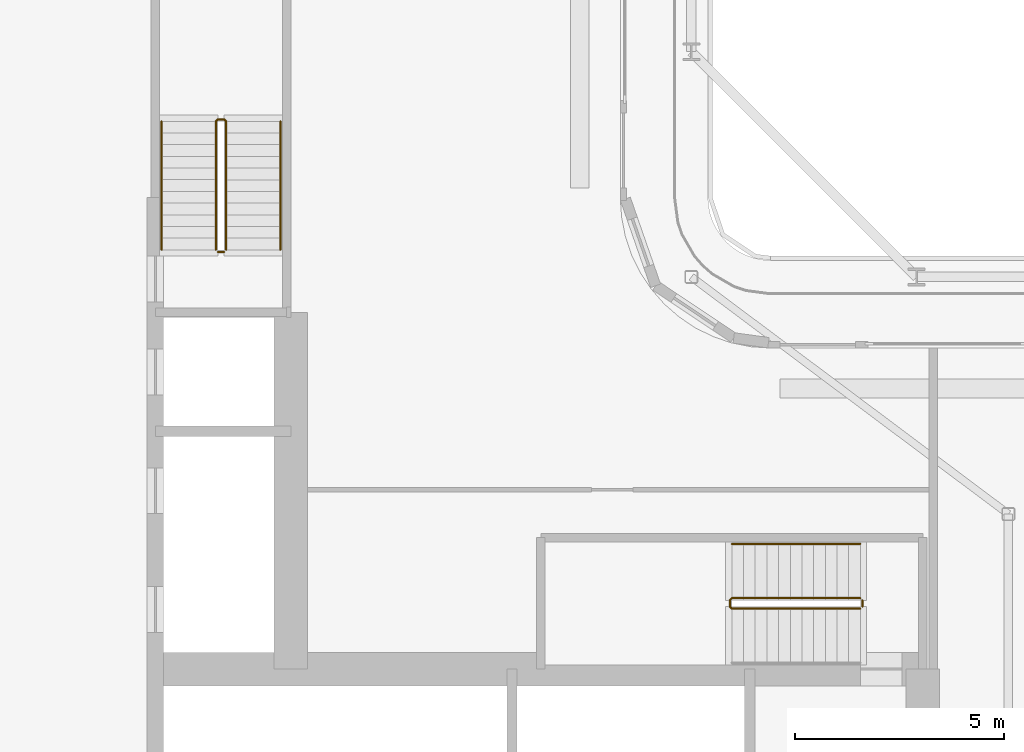
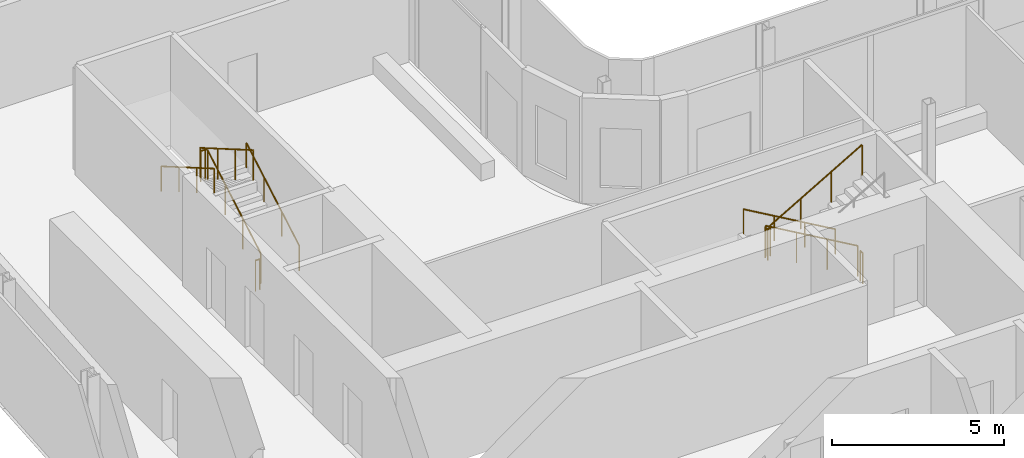
# One storey, part 21 of 27: 7 railings.
"""IFC4 building model written with IfcOpenShell, lengths in metres."""

from ifc_helpers import new_model, si_unit, direction, frame, origin, origin_2d, place, context, subcontext, project, spatial, circle, extrude, material, type_object, element, save


model = new_model("IFC4")

# Units and contexts
model_context = context("Model", 3, precision=1e-05, world=origin(), true_north=direction((0.0, 1.0)))
body_context = subcontext(model_context, "Body", "Model", "MODEL_VIEW")
ifc_project = project(units=[si_unit("LENGTHUNIT", "METRE"), si_unit("AREAUNIT", "SQUARE_METRE"), si_unit("VOLUMEUNIT", "CUBIC_METRE"), si_unit("PLANEANGLEUNIT", "RADIAN"), si_unit("MASSUNIT", "GRAM", prefix="KILO")], contexts=[model_context])

# Site, building, storey
site_placement = place(None, origin())
site = spatial("IfcSite", under=ifc_project, at=site_placement, CompositionType="ELEMENT")
building_placement = place(site_placement, origin())
building = spatial("IfcBuilding", under=site, at=building_placement, Name="Kheshtan School and Residences Tower", CompositionType="ELEMENT")
storey_placement = place(building_placement, frame((0.0, 0.0, 152.60009765625)))
storey = spatial("IfcBuildingStorey", under=building, at=storey_placement, Name="L35", CompositionType="ELEMENT", Elevation=152.60009765625)

# Railings
ifc_material_1 = material(Name="Stainless steel balustrade", Category="steel")
railing_type_1 = type_object("IfcRailingType", Name="Stair guard 1100", PredefinedType="GUARDRAIL", material=ifc_material_1)
railing_1_placement = place(storey_placement, frame((51.64990234375, 37.89990234375, 0.162353515625)))
element("IfcRailing", 1, at=railing_1_placement, inside=storey, type_object=railing_type_1, Name="L35 ST1 stair guard 1", PredefinedType="GUARDRAIL", context=body_context, shape_type="SweptSolid", body=[
    extrude(circle(Radius=0.02392578125, at=origin_2d()), frame((0.0, 0.0, 1.076171875), z_axis=(-0.864873446163, 0.0, 0.501989962173), x_axis=(0.0, -1.0, 0.0)), (0.0, 0.0, 1.0), 3.56103515625),
    extrude(circle(Radius=0.02392578125, at=origin_2d()), frame((-3.079833984375, 0.0, 2.86376953125), z_axis=(-0.708833529934, -0.705375805398, 0.0), x_axis=(0.705375805398, -0.708833529934, 0.0)), (0.0, 0.0, 1.0), 0.070556640625),
    extrude(circle(Radius=0.02392578125, at=origin_2d()), frame((-3.1298828125, -0.0498046875, 2.86376953125), z_axis=(0.0, -1.0, 0.0), x_axis=(1.0, 0.0, 0.0)), (0.0, 0.0, 1.0), 0.150146484375),
    extrude(circle(Radius=0.02392578125, at=origin_2d()), frame((-3.1298828125, -0.199951171875, 2.86376953125), z_axis=(0.282583949758, -0.282583949758, 0.916674763849), x_axis=(0.707106781187, 0.707106781187, 0.0)), (0.0, 0.0, 1.0), 0.177001953125),
    extrude(circle(Radius=0.02392578125, at=origin_2d()), frame((-3.079833984375, -0.25, 3.02587890625), z_axis=(0.864873446163, 0.0, 0.501989962173), x_axis=(0.0, 1.0, 0.0)), (0.0, 0.0, 1.0), 3.56103515625),
    extrude(circle(Radius=0.02099609375, at=origin_2d()), origin(), (0.0, 0.0, 1.0), 1.052001953125),
    extrude(circle(Radius=0.02099609375, at=origin_2d()), frame((-1.026611328125, 0.0, 0.595947265625)), (0.0, 0.0, 1.0), 1.052001953125),
    extrude(circle(Radius=0.02099609375, at=origin_2d()), frame((-2.05322265625, 0.0, 1.191650390625)), (0.0, 0.0, 1.0), 1.052001953125),
    extrude(circle(Radius=0.02099609375, at=origin_2d()), frame((-3.079833984375, 0.0, 1.78759765625)), (0.0, 0.0, 1.0), 1.052001953125),
    extrude(circle(Radius=0.02099609375, at=origin_2d()), frame((-3.1298828125, -0.0498046875, 1.78759765625)), (0.0, 0.0, 1.0), 1.052001953125),
    extrude(circle(Radius=0.02099609375, at=origin_2d()), frame((-3.1298828125, -0.199951171875, 1.78759765625)), (0.0, 0.0, 1.0), 1.052001953125),
    extrude(circle(Radius=0.02099609375, at=origin_2d()), frame((-3.079833984375, -0.25, 1.949951171875)), (0.0, 0.0, 1.0), 1.052001953125),
    extrude(circle(Radius=0.02099609375, at=origin_2d()), frame((-2.05322265625, -0.25, 2.5458984375)), (0.0, 0.0, 1.0), 1.052001953125),
    extrude(circle(Radius=0.02099609375, at=origin_2d()), frame((-1.026611328125, -0.25, 3.1416015625)), (0.0, 0.0, 1.0), 1.052001953125),
    extrude(circle(Radius=0.02099609375, at=origin_2d()), frame((0.0, -0.25, 3.737548828125)), (0.0, 0.0, 1.0), 1.052001953125),
])
railing_2_placement = place(storey_placement, frame((51.699951171875, 37.85009765625, 0.0)))
element("IfcRailing", 2, at=railing_2_placement, inside=storey, type_object=railing_type_1, Name="L35 ST1 stair guard 2", PredefinedType="GUARDRAIL", context=body_context, shape_type="SweptSolid", body=[
    extrude(circle(Radius=0.02392578125, at=origin_2d()), frame((0.0, 0.0, 1.076171875), z_axis=(0.0, -1.0, 0.0), x_axis=(1.0, 0.0, 0.0)), (0.0, 0.0, 1.0), 0.150146484375),
    extrude(circle(Radius=0.02099609375, at=origin_2d()), origin(), (0.0, 0.0, 1.0), 1.052001953125),
    extrude(circle(Radius=0.02099609375, at=origin_2d()), frame((0.0, -0.150146484375, 0.0)), (0.0, 0.0, 1.0), 1.052001953125),
])
railing_3_placement = place(storey_placement, frame((36.449951171875, 46.25, 0.162353515625)))
element("IfcRailing", 3, at=railing_3_placement, inside=storey, type_object=railing_type_1, Name="L35 ST2 stair guard 1", PredefinedType="GUARDRAIL", context=body_context, shape_type="SweptSolid", body=[
    extrude(circle(Radius=0.02392578125, at=origin_2d()), frame((0.0, 0.0, 1.076171875), z_axis=(0.0, 0.864890721111, 0.501960198159), x_axis=(-1.0, 0.0, 0.0)), (0.0, 0.0, 1.0), 3.561279296875),
    extrude(circle(Radius=0.02392578125, at=origin_2d()), frame((0.0, 3.080078125, 2.86376953125), z_axis=(-0.708833529934, 0.705375805398, 0.0), x_axis=(-0.705375805398, -0.708833529934, 0.0)), (0.0, 0.0, 1.0), 0.070556640625),
    extrude(circle(Radius=0.02392578125, at=origin_2d()), frame((-0.050048828125, 3.1298828125, 2.86376953125), z_axis=(-1.0, 0.0, 0.0), x_axis=(0.0, -1.0, 0.0)), (0.0, 0.0, 1.0), 0.14990234375),
    extrude(circle(Radius=0.02392578125, at=origin_2d()), frame((-0.199951171875, 3.1298828125, 2.86376953125), z_axis=(-0.282693820306, -0.281314826061, 0.917031173188), x_axis=(0.705375805398, -0.708833529934, 0.0)), (0.0, 0.0, 1.0), 0.177001953125),
    extrude(circle(Radius=0.02392578125, at=origin_2d()), frame((-0.25, 3.080078125, 3.02587890625), z_axis=(0.0, -0.864890721111, 0.501960198159), x_axis=(1.0, 0.0, 0.0)), (0.0, 0.0, 1.0), 3.561279296875),
    extrude(circle(Radius=0.02099609375, at=origin_2d()), origin(), (0.0, 0.0, 1.0), 1.052001953125),
    extrude(circle(Radius=0.02099609375, at=origin_2d()), frame((0.0, 1.026611328125, 0.595947265625)), (0.0, 0.0, 1.0), 1.052001953125),
    extrude(circle(Radius=0.02099609375, at=origin_2d()), frame((0.0, 2.053466796875, 1.191650390625)), (0.0, 0.0, 1.0), 1.052001953125),
    extrude(circle(Radius=0.02099609375, at=origin_2d()), frame((0.0, 3.080078125, 1.78759765625)), (0.0, 0.0, 1.0), 1.052001953125),
    extrude(circle(Radius=0.02099609375, at=origin_2d()), frame((-0.050048828125, 3.1298828125, 1.78759765625)), (0.0, 0.0, 1.0), 1.052001953125),
    extrude(circle(Radius=0.02099609375, at=origin_2d()), frame((-0.199951171875, 3.1298828125, 1.78759765625)), (0.0, 0.0, 1.0), 1.052001953125),
    extrude(circle(Radius=0.02099609375, at=origin_2d()), frame((-0.25, 3.080078125, 1.949951171875)), (0.0, 0.0, 1.0), 1.052001953125),
    extrude(circle(Radius=0.02099609375, at=origin_2d()), frame((-0.25, 2.053466796875, 2.5458984375)), (0.0, 0.0, 1.0), 1.052001953125),
    extrude(circle(Radius=0.02099609375, at=origin_2d()), frame((-0.25, 1.026611328125, 3.1416015625)), (0.0, 0.0, 1.0), 1.052001953125),
    extrude(circle(Radius=0.02099609375, at=origin_2d()), frame((-0.25, 0.0, 3.737548828125)), (0.0, 0.0, 1.0), 1.052001953125),
])
railing_4_placement = place(storey_placement, frame((36.39990234375, 46.199951171875, 0.0)))
element("IfcRailing", 4, at=railing_4_placement, inside=storey, type_object=railing_type_1, Name="L35 ST2 stair guard 2", PredefinedType="GUARDRAIL", context=body_context, shape_type="SweptSolid", body=[
    extrude(circle(Radius=0.02392578125, at=origin_2d()), frame((0.0, 0.0, 1.076171875), z_axis=(-1.0, 0.0, 0.0), x_axis=(0.0, -1.0, 0.0)), (0.0, 0.0, 1.0), 0.14990234375),
    extrude(circle(Radius=0.02099609375, at=origin_2d()), origin(), (0.0, 0.0, 1.0), 1.052001953125),
    extrude(circle(Radius=0.02099609375, at=origin_2d()), frame((-0.14990234375, 0.0, 0.0)), (0.0, 0.0, 1.0), 1.052001953125),
])
ifc_material_2 = material(Name="Stainless steel handrail", Category="steel")
railing_type_2 = type_object("IfcRailingType", Name="Stair handrail 900", PredefinedType="HANDRAIL", material=ifc_material_2)
railing_5_placement = place(storey_placement, frame((51.64990234375, 39.199951171875, 0.162353515625)))
element("IfcRailing", 5, at=railing_5_placement, inside=storey, type_object=railing_type_2, Name="L35 ST1 stair handrail 1", PredefinedType="HANDRAIL", context=body_context, shape_type="SweptSolid", body=[
    extrude(circle(Radius=0.02392578125, at=origin_2d()), frame((0.0, 0.0, 0.8759765625), z_axis=(-0.864873446163, 0.0, 0.501989962173), x_axis=(0.0, -1.0, 0.0)), (0.0, 0.0, 1.0), 3.56103515625),
    extrude(circle(Radius=0.02099609375, at=origin_2d()), origin(), (0.0, 0.0, 1.0), 0.851806640625),
    extrude(circle(Radius=0.02099609375, at=origin_2d()), frame((-1.026611328125, 0.0, 0.595947265625)), (0.0, 0.0, 1.0), 0.851806640625),
    extrude(circle(Radius=0.02099609375, at=origin_2d()), frame((-2.05322265625, 0.0, 1.191650390625)), (0.0, 0.0, 1.0), 0.851806640625),
    extrude(circle(Radius=0.02099609375, at=origin_2d()), frame((-3.079833984375, 0.0, 1.78759765625)), (0.0, 0.0, 1.0), 0.851806640625),
])
railing_6_placement = place(storey_placement, frame((37.75, 46.25, 0.162353515625)))
element("IfcRailing", 6, at=railing_6_placement, inside=storey, type_object=railing_type_2, Name="L35 ST2 stair handrail 1", PredefinedType="HANDRAIL", context=body_context, shape_type="SweptSolid", body=[
    extrude(circle(Radius=0.02392578125, at=origin_2d()), frame((0.0, 0.0, 0.8759765625), z_axis=(0.0, 0.864890721111, 0.501960198159), x_axis=(-1.0, 0.0, 0.0)), (0.0, 0.0, 1.0), 3.561279296875),
    extrude(circle(Radius=0.02099609375, at=origin_2d()), origin(), (0.0, 0.0, 1.0), 0.851806640625),
    extrude(circle(Radius=0.02099609375, at=origin_2d()), frame((0.0, 1.026611328125, 0.595947265625)), (0.0, 0.0, 1.0), 0.851806640625),
    extrude(circle(Radius=0.02099609375, at=origin_2d()), frame((0.0, 2.053466796875, 1.191650390625)), (0.0, 0.0, 1.0), 0.851806640625),
    extrude(circle(Radius=0.02099609375, at=origin_2d()), frame((0.0, 3.080078125, 1.78759765625)), (0.0, 0.0, 1.0), 0.851806640625),
])
railing_7_placement = place(storey_placement, frame((34.89990234375, 49.330078125, 2.1123046875)))
element("IfcRailing", 7, at=railing_7_placement, inside=storey, type_object=railing_type_2, Name="L35 ST2 stair handrail 2", PredefinedType="HANDRAIL", context=body_context, shape_type="SweptSolid", body=[
    extrude(circle(Radius=0.02392578125, at=origin_2d()), frame((0.0, 0.0, 0.8759765625), z_axis=(0.0, -0.864890721111, 0.501960198159), x_axis=(1.0, 0.0, 0.0)), (0.0, 0.0, 1.0), 3.561279296875),
    extrude(circle(Radius=0.02099609375, at=origin_2d()), origin(), (0.0, 0.0, 1.0), 0.851806640625),
    extrude(circle(Radius=0.02099609375, at=origin_2d()), frame((0.0, -1.026611328125, 0.595947265625)), (0.0, 0.0, 1.0), 0.851806640625),
    extrude(circle(Radius=0.02099609375, at=origin_2d()), frame((0.0, -2.053466796875, 1.191650390625)), (0.0, 0.0, 1.0), 0.851806640625),
    extrude(circle(Radius=0.02099609375, at=origin_2d()), frame((0.0, -3.080078125, 1.78759765625)), (0.0, 0.0, 1.0), 0.851806640625),
])

save(model, "model.ifc")
